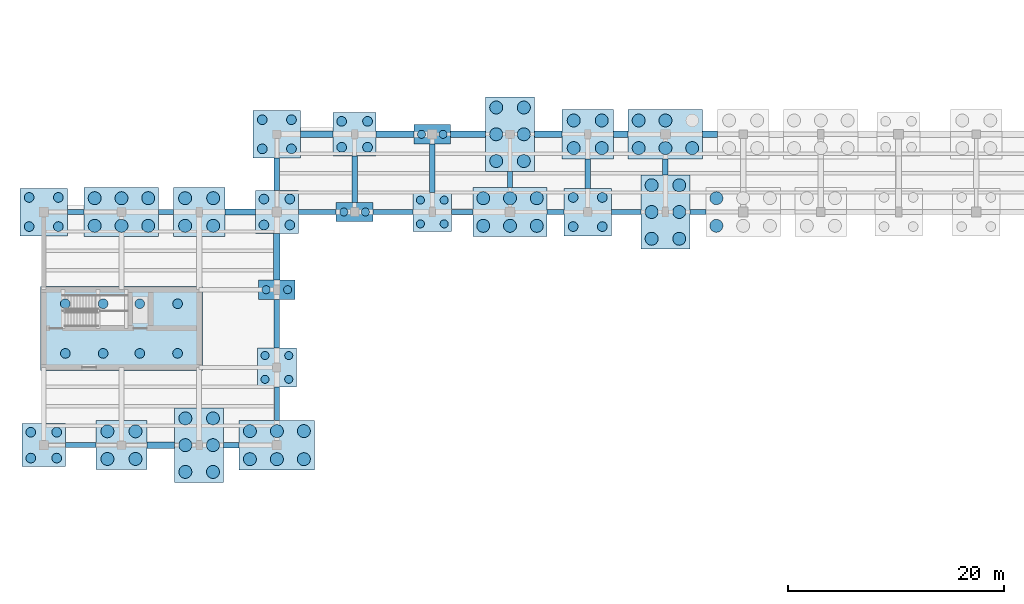
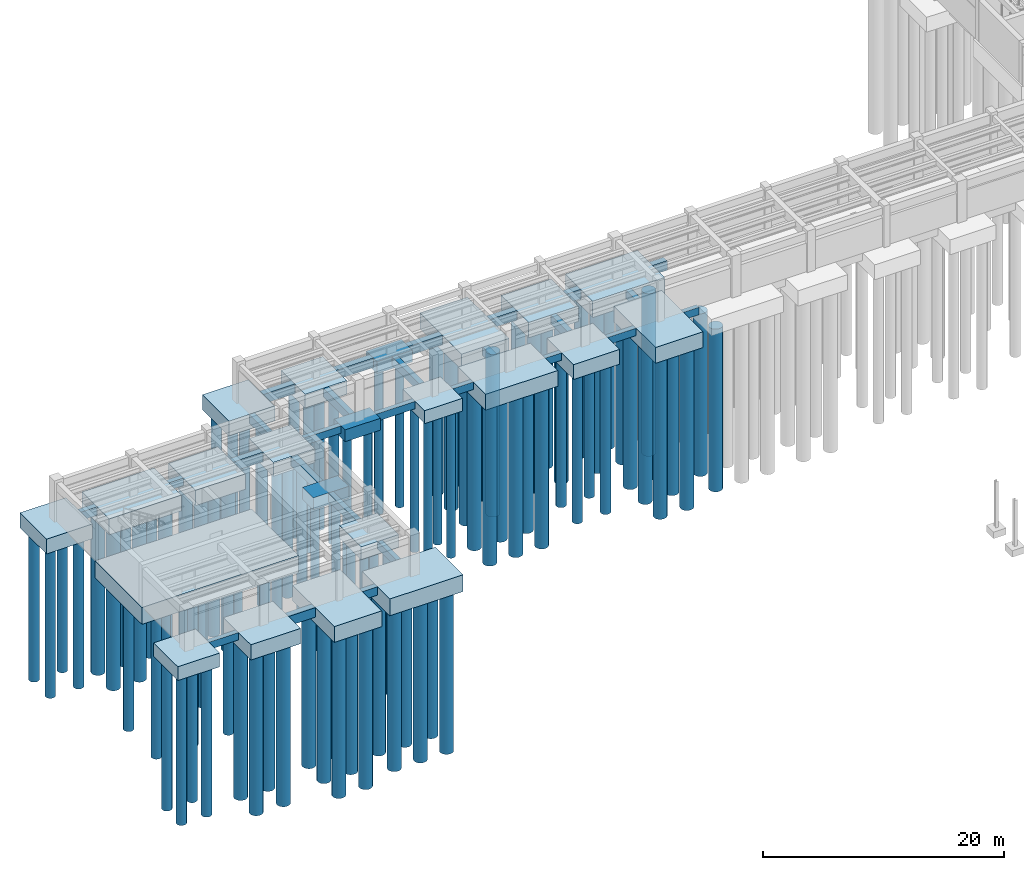
# One storey, part 1 of 22: 101 piles, 49 footings.
"""IFC4 building model written with IfcOpenShell, lengths in metres."""

from ifc_helpers import new_model, si_unit, direction, frame, origin, origin_2d, place, context, subcontext, project, spatial, rectangle, circle, extrude, material, material_profile, profile_set, type_object, element, save


model = new_model("IFC4")

# Units and contexts
model_context = context("Model", 3, precision=1e-05, world=origin(), true_north=direction((0.0, 1.0)))
body_context = subcontext(model_context, "Body", "Model", "MODEL_VIEW")
ifc_project = project(units=[si_unit("LENGTHUNIT", "METRE"), si_unit("AREAUNIT", "SQUARE_METRE"), si_unit("VOLUMEUNIT", "CUBIC_METRE"), si_unit("PLANEANGLEUNIT", "RADIAN"), si_unit("MASSUNIT", "GRAM", prefix="KILO")], contexts=[model_context])

# Site, building, storey
site_placement = place(None, origin())
site = spatial("IfcSite", under=ifc_project, at=site_placement, CompositionType="ELEMENT")
building_placement = place(site_placement, origin())
building = spatial("IfcBuilding", under=site, at=building_placement, Name="Mithqara Police Headquarters", CompositionType="ELEMENT")
storey_placement = place(building_placement, frame((0.0, 0.0, -8.39990234375)))
storey = spatial("IfcBuildingStorey", under=building, at=storey_placement, Name="B2", CompositionType="ELEMENT", Elevation=-8.39990234375)

# Footings
ifc_material = material(Name="Concrete C40/50", Category="concrete")
footing_type_1 = type_object("IfcFootingType", Name="CORE MAT 15000X7800X1700", PredefinedType="PILE_CAP", material=ifc_material)
footing_1_placement = place(storey_placement, frame((15.0, 67.800048828125, -1.7001953125), z_axis=(0.0, 0.0, 1.0), x_axis=(1.0, 0.0, 0.0)))
element("IfcFooting", 1, at=footing_1_placement, inside=storey, type_object=footing_type_1, Name="Core C3 Operations West Piled Core Raft", PredefinedType="PILE_CAP", context=body_context, shape_type="SweptSolid", body=[
    extrude(rectangle(XDim=15.0, YDim=7.800048828125, at=origin_2d()), origin(), (0.0, 0.0, 1.0), 1.699951171875),
])
footing_type_2 = type_object("IfcFootingType", Name="GROUND BEAM 450X750", PredefinedType="FOOTING_BEAM", material=ifc_material)
footing_2_placement = place(storey_placement, frame((11.21240234375, 57.0, -0.75), z_axis=(0.0, 0.0, 1.0), x_axis=(1.0, 0.0, 0.0)))
element("IfcFooting", 2, at=footing_2_placement, inside=storey, type_object=footing_type_2, Name="B2 Ground Tie Beam 2-3/J", PredefinedType="FOOTING_BEAM", context=body_context, shape_type="SweptSolid", body=[
    extrude(rectangle(XDim=2.824951171875, YDim=0.449951171875, at=origin_2d()), origin(), (0.0, 0.0, 1.0), 0.75),
])
footing_3_placement = place(storey_placement, frame((19.137451171875, 78.60009765625, -0.75), z_axis=(0.0, 0.0, 1.0), x_axis=(1.0, 0.0, 0.0)))
element("IfcFooting", 3, at=footing_3_placement, inside=storey, type_object=footing_type_2, Name="B2 Ground Tie Beam 3-4/M", PredefinedType="FOOTING_BEAM", context=body_context, shape_type="SweptSolid", body=[
    extrude(rectangle(XDim=1.375, YDim=0.449951171875, at=origin_2d()), origin(), (0.0, 0.0, 1.0), 0.75),
])
footing_4_placement = place(storey_placement, frame((29.39990234375, 60.85009765625, -0.75), z_axis=(0.0, 0.0, 1.0), x_axis=(1.0, 0.0, 0.0)))
element("IfcFooting", 4, at=footing_4_placement, inside=storey, type_object=footing_type_2, Name="B2 Ground Tie Beam 5/J-K", PredefinedType="FOOTING_BEAM", context=body_context, shape_type="SweptSolid", body=[
    extrude(rectangle(XDim=0.449951171875, YDim=3.10009765625, at=origin_2d()), origin(), (0.0, 0.0, 1.0), 0.75),
])
footing_5_placement = place(storey_placement, frame((33.14990234375, 78.60009765625, -0.75), z_axis=(0.0, 0.0, 1.0), x_axis=(1.0, 0.0, 0.0)))
element("IfcFooting", 5, at=footing_5_placement, inside=storey, type_object=footing_type_2, Name="B2 Ground Tie Beam 5-6/M", PredefinedType="FOOTING_BEAM", context=body_context, shape_type="SweptSolid", body=[
    extrude(rectangle(XDim=3.5, YDim=0.449951171875, at=origin_2d()), origin(), (0.0, 0.0, 1.0), 0.75),
])
footing_6_placement = place(storey_placement, frame((40.14990234375, 78.60009765625, -0.75), z_axis=(0.0, 0.0, 1.0), x_axis=(1.0, 0.0, 0.0)))
element("IfcFooting", 6, at=footing_6_placement, inside=storey, type_object=footing_type_2, Name="B2 Ground Tie Beam 6-7/M", PredefinedType="FOOTING_BEAM", context=body_context, shape_type="SweptSolid", body=[
    extrude(rectangle(XDim=3.699951171875, YDim=0.449951171875, at=origin_2d()), origin(), (0.0, 0.0, 1.0), 0.75),
])
footing_7_placement = place(storey_placement, frame((46.574951171875, 78.60009765625, -0.75), z_axis=(0.0, 0.0, 1.0), x_axis=(1.0, 0.0, 0.0)))
element("IfcFooting", 7, at=footing_7_placement, inside=storey, type_object=footing_type_2, Name="B2 Ground Tie Beam 7-8/M", PredefinedType="FOOTING_BEAM", context=body_context, shape_type="SweptSolid", body=[
    extrude(rectangle(XDim=1.949951171875, YDim=0.449951171875, at=origin_2d()), origin(), (0.0, 0.0, 1.0), 0.75),
])
footing_8_placement = place(storey_placement, frame((55.22509765625, 78.60009765625, -0.75), z_axis=(0.0, 0.0, 1.0), x_axis=(1.0, 0.0, 0.0)))
element("IfcFooting", 8, at=footing_8_placement, inside=storey, type_object=footing_type_2, Name="B2 Ground Tie Beam 8-9/M", PredefinedType="FOOTING_BEAM", context=body_context, shape_type="SweptSolid", body=[
    extrude(rectangle(XDim=1.550048828125, YDim=0.449951171875, at=origin_2d()), origin(), (0.0, 0.0, 1.0), 0.75),
])
footing_9_placement = place(storey_placement, frame((61.762451171875, 78.60009765625, -0.75), z_axis=(0.0, 0.0, 1.0), x_axis=(1.0, 0.0, 0.0)))
element("IfcFooting", 9, at=footing_9_placement, inside=storey, type_object=footing_type_2, Name="B2 Ground Tie Beam 9-10/M", PredefinedType="FOOTING_BEAM", context=body_context, shape_type="SweptSolid", body=[
    extrude(rectangle(XDim=2.72509765625, YDim=0.449951171875, at=origin_2d()), origin(), (0.0, 0.0, 1.0), 0.75),
])
footing_10_placement = place(storey_placement, frame((68.41259765625, 78.60009765625, -0.75), z_axis=(0.0, 0.0, 1.0), x_axis=(1.0, 0.0, 0.0)))
element("IfcFooting", 10, at=footing_10_placement, inside=storey, type_object=footing_type_2, Name="B2 Ground Tie Beam 10-11/M", PredefinedType="FOOTING_BEAM", context=body_context, shape_type="SweptSolid", body=[
    extrude(rectangle(XDim=1.47509765625, YDim=0.449951171875, at=origin_2d()), origin(), (0.0, 0.0, 1.0), 0.75),
])
footing_type_3 = type_object("IfcFootingType", Name="GROUND BEAM 500X850", PredefinedType="FOOTING_BEAM", material=ifc_material)
footing_11_placement = place(storey_placement, frame((10.77490234375, 78.60009765625, -0.85009765625), z_axis=(0.0, 0.0, 1.0), x_axis=(1.0, 0.0, 0.0)))
element("IfcFooting", 11, at=footing_11_placement, inside=storey, type_object=footing_type_3, Name="B2 Ground Tie Beam 2-3/M", PredefinedType="FOOTING_BEAM", context=body_context, shape_type="SweptSolid", body=[
    extrude(rectangle(XDim=1.550048828125, YDim=0.5, at=origin_2d()), origin(), (0.0, 0.0, 1.0), 0.85009765625),
])
footing_12_placement = place(storey_placement, frame((25.1875, 57.0, -0.85009765625), z_axis=(0.0, 0.0, 1.0), x_axis=(1.0, 0.0, 0.0)))
element("IfcFooting", 12, at=footing_12_placement, inside=storey, type_object=footing_type_3, Name="B2 Ground Tie Beam 4-5/J", PredefinedType="FOOTING_BEAM", context=body_context, shape_type="SweptSolid", body=[
    extrude(rectangle(XDim=1.425048828125, YDim=0.5, at=origin_2d()), origin(), (0.0, 0.0, 1.0), 0.85009765625),
])
footing_13_placement = place(storey_placement, frame((29.39990234375, 68.25, -0.85009765625), z_axis=(0.0, 0.0, 1.0), x_axis=(1.0, 0.0, 0.0)))
element("IfcFooting", 13, at=footing_13_placement, inside=storey, type_object=footing_type_3, Name="B2 Ground Tie Beam 5/K-L", PredefinedType="FOOTING_BEAM", context=body_context, shape_type="SweptSolid", body=[
    extrude(rectangle(XDim=0.5, YDim=4.5, at=origin_2d()), origin(), (0.0, 0.0, 1.0), 0.85009765625),
])
footing_14_placement = place(storey_placement, frame((29.39990234375, 82.10009765625, -0.85009765625), z_axis=(0.0, 0.0, 1.0), x_axis=(1.0, 0.0, 0.0)))
element("IfcFooting", 14, at=footing_14_placement, inside=storey, type_object=footing_type_3, Name="B2 Ground Tie Beam 5/M-N", PredefinedType="FOOTING_BEAM", context=body_context, shape_type="SweptSolid", body=[
    extrude(rectangle(XDim=0.5, YDim=3.0, at=origin_2d()), origin(), (0.0, 0.0, 1.0), 0.85009765625),
])
footing_15_placement = place(storey_placement, frame((36.60009765625, 81.64990234375, -0.85009765625), z_axis=(0.0, 0.0, 1.0), x_axis=(1.0, 0.0, 0.0)))
element("IfcFooting", 15, at=footing_15_placement, inside=storey, type_object=footing_type_3, Name="B2 Ground Tie Beam 6/M-N", PredefinedType="FOOTING_BEAM", context=body_context, shape_type="SweptSolid", body=[
    extrude(rectangle(XDim=0.5, YDim=4.300048828125, at=origin_2d()), origin(), (0.0, 0.0, 1.0), 0.85009765625),
])
footing_16_placement = place(storey_placement, frame((43.800048828125, 82.64990234375, -0.85009765625), z_axis=(0.0, 0.0, 1.0), x_axis=(1.0, 0.0, 0.0)))
element("IfcFooting", 16, at=footing_16_placement, inside=storey, type_object=footing_type_3, Name="B2 Ground Tie Beam 7/M-N", PredefinedType="FOOTING_BEAM", context=body_context, shape_type="SweptSolid", body=[
    extrude(rectangle(XDim=0.5, YDim=4.5, at=origin_2d()), origin(), (0.0, 0.0, 1.0), 0.85009765625),
])
footing_17_placement = place(storey_placement, frame((51.0, 81.612548828125, -0.85009765625), z_axis=(0.0, 0.0, 1.0), x_axis=(1.0, 0.0, 0.0)))
element("IfcFooting", 17, at=footing_17_placement, inside=storey, type_object=footing_type_3, Name="B2 Ground Tie Beam 8/M-N", PredefinedType="FOOTING_BEAM", context=body_context, shape_type="SweptSolid", body=[
    extrude(rectangle(XDim=0.5, YDim=1.47509765625, at=origin_2d()), origin(), (0.0, 0.0, 1.0), 0.85009765625),
])
footing_18_placement = place(storey_placement, frame((58.199951171875, 82.16259765625, -0.85009765625), z_axis=(0.0, 0.0, 1.0), x_axis=(1.0, 0.0, 0.0)))
element("IfcFooting", 18, at=footing_18_placement, inside=storey, type_object=footing_type_3, Name="B2 Ground Tie Beam 9/M-N", PredefinedType="FOOTING_BEAM", context=body_context, shape_type="SweptSolid", body=[
    extrude(rectangle(XDim=0.5, YDim=2.72509765625, at=origin_2d()), origin(), (0.0, 0.0, 1.0), 0.85009765625),
])
footing_19_placement = place(storey_placement, frame((65.39990234375, 82.78759765625, -0.85009765625), z_axis=(0.0, 0.0, 1.0), x_axis=(1.0, 0.0, 0.0)))
element("IfcFooting", 19, at=footing_19_placement, inside=storey, type_object=footing_type_3, Name="B2 Ground Tie Beam 10/M-N", PredefinedType="FOOTING_BEAM", context=body_context, shape_type="SweptSolid", body=[
    extrude(rectangle(XDim=0.5, YDim=1.47509765625, at=origin_2d()), origin(), (0.0, 0.0, 1.0), 0.85009765625),
])
footing_type_4 = type_object("IfcFootingType", Name="GROUND BEAM 600X950", PredefinedType="FOOTING_BEAM", material=ifc_material)
footing_20_placement = place(storey_placement, frame((18.64990234375, 57.0, -0.9501953125), z_axis=(0.0, 0.0, 1.0), x_axis=(1.0, 0.0, 0.0)))
element("IfcFooting", 20, at=footing_20_placement, inside=storey, type_object=footing_type_4, Name="B2 Ground Tie Beam 3-4/J", PredefinedType="FOOTING_BEAM", context=body_context, shape_type="SweptSolid", body=[
    extrude(rectangle(XDim=2.550048828125, YDim=0.60009765625, at=origin_2d()), origin(), (0.0, 0.0, 1.0), 0.949951171875),
])
footing_21_placement = place(storey_placement, frame((25.987548828125, 78.60009765625, -0.9501953125), z_axis=(0.0, 0.0, 1.0), x_axis=(1.0, 0.0, 0.0)))
element("IfcFooting", 21, at=footing_21_placement, inside=storey, type_object=footing_type_4, Name="B2 Ground Tie Beam 4-5/M", PredefinedType="FOOTING_BEAM", context=body_context, shape_type="SweptSolid", body=[
    extrude(rectangle(XDim=2.824951171875, YDim=0.60009765625, at=origin_2d()), origin(), (0.0, 0.0, 1.0), 0.949951171875),
])
footing_22_placement = place(storey_placement, frame((29.39990234375, 74.449951171875, -0.9501953125), z_axis=(0.0, 0.0, 1.0), x_axis=(1.0, 0.0, 0.0)))
element("IfcFooting", 22, at=footing_22_placement, inside=storey, type_object=footing_type_4, Name="B2 Ground Tie Beam 5/L-M", PredefinedType="FOOTING_BEAM", context=body_context, shape_type="SweptSolid", body=[
    extrude(rectangle(XDim=0.60009765625, YDim=4.300048828125, at=origin_2d()), origin(), (0.0, 0.0, 1.0), 0.949951171875),
])
footing_23_placement = place(storey_placement, frame((33.10009765625, 85.800048828125, -0.9501953125), z_axis=(0.0, 0.0, 1.0), x_axis=(1.0, 0.0, 0.0)))
element("IfcFooting", 23, at=footing_23_placement, inside=storey, type_object=footing_type_4, Name="B2 Ground Tie Beam 5-6/N", PredefinedType="FOOTING_BEAM", context=body_context, shape_type="SweptSolid", body=[
    extrude(rectangle(XDim=3.0, YDim=0.60009765625, at=origin_2d()), origin(), (0.0, 0.0, 1.0), 0.949951171875),
])
footing_24_placement = place(storey_placement, frame((40.35009765625, 85.800048828125, -0.9501953125), z_axis=(0.0, 0.0, 1.0), x_axis=(1.0, 0.0, 0.0)))
element("IfcFooting", 24, at=footing_24_placement, inside=storey, type_object=footing_type_4, Name="B2 Ground Tie Beam 6-7/N", PredefinedType="FOOTING_BEAM", context=body_context, shape_type="SweptSolid", body=[
    extrude(rectangle(XDim=3.5, YDim=0.60009765625, at=origin_2d()), origin(), (0.0, 0.0, 1.0), 0.949951171875),
])
footing_25_placement = place(storey_placement, frame((47.112548828125, 85.800048828125, -0.9501953125), z_axis=(0.0, 0.0, 1.0), x_axis=(1.0, 0.0, 0.0)))
element("IfcFooting", 25, at=footing_25_placement, inside=storey, type_object=footing_type_4, Name="B2 Ground Tie Beam 7-8/N", PredefinedType="FOOTING_BEAM", context=body_context, shape_type="SweptSolid", body=[
    extrude(rectangle(XDim=3.22509765625, YDim=0.60009765625, at=origin_2d()), origin(), (0.0, 0.0, 1.0), 0.949951171875),
])
footing_26_placement = place(storey_placement, frame((54.550048828125, 85.800048828125, -0.9501953125), z_axis=(0.0, 0.0, 1.0), x_axis=(1.0, 0.0, 0.0)))
element("IfcFooting", 26, at=footing_26_placement, inside=storey, type_object=footing_type_4, Name="B2 Ground Tie Beam 8-9/N", PredefinedType="FOOTING_BEAM", context=body_context, shape_type="SweptSolid", body=[
    extrude(rectangle(XDim=2.550048828125, YDim=0.60009765625, at=origin_2d()), origin(), (0.0, 0.0, 1.0), 0.949951171875),
])
for number, where, z_axis, x_axis, name in (
    (27, (61.262451171875, 85.800048828125, -0.9501953125), (0.0, 0.0, 1.0), (1.0, 0.0, 0.0), "B2 Ground Tie Beam 9-10/N"),
    (28, (69.53759765625, 85.800048828125, -0.9501953125), (0.0, 0.0, 1.0), (1.0, 0.0, 0.0), "B2 Ground Tie Beam 10-11/N"),
):
    element("IfcFooting", number, at=place(storey_placement, frame(where, z_axis=z_axis, x_axis=x_axis)), inside=storey, type_object=footing_type_4, Name=name, PredefinedType="FOOTING_BEAM", context=body_context, shape_type="SweptSolid", body=[
        extrude(rectangle(XDim=1.375, YDim=0.60009765625, at=origin_2d()), origin(), (0.0, 0.0, 1.0), 0.949951171875),
    ])
footing_type_5 = type_object("IfcFootingType", Name="PILE CAP 2P 3400X1800X1200", PredefinedType="PILE_CAP", material=ifc_material)
for number, where, z_axis, x_axis, name in (
    (29, (29.39990234375, 71.39990234375, -1.2001953125), (0.0, 0.0, 1.0), (1.0, 0.0, 0.0), "B2 Pile Cap 5/L"),
    (30, (36.60009765625, 78.60009765625, -1.2001953125), (0.0, 0.0, 1.0), (1.0, 0.0, 0.0), "B2 Pile Cap 6/M"),
    (31, (43.800048828125, 85.800048828125, -1.2001953125), (0.0, 0.0, 1.0), (1.0, 0.0, 0.0), "B2 Pile Cap 7/N"),
):
    element("IfcFooting", number, at=place(storey_placement, frame(where, z_axis=z_axis, x_axis=x_axis)), inside=storey, type_object=footing_type_5, Name=name, PredefinedType="PILE_CAP", context=body_context, shape_type="SweptSolid", body=[
        extrude(rectangle(XDim=3.39990234375, YDim=1.800048828125, at=origin_2d()), origin(), (0.0, 0.0, 1.0), 1.199951171875),
    ])
footing_type_6 = type_object("IfcFootingType", Name="PILE CAP 4P 3600X3600X1300", PredefinedType="PILE_CAP", material=ifc_material)
for number, where, z_axis, x_axis, name in (
    (32, (29.39990234375, 64.199951171875, -1.30029296875), (0.0, 0.0, 1.0), (1.0, 0.0, 0.0), "B2 Pile Cap 5/K"),
    (33, (43.800048828125, 78.60009765625, -1.30029296875), (0.0, 0.0, 1.0), (1.0, 0.0, 0.0), "B2 Pile Cap 7/M"),
):
    element("IfcFooting", number, at=place(storey_placement, frame(where, z_axis=z_axis, x_axis=x_axis)), inside=storey, type_object=footing_type_6, Name=name, PredefinedType="PILE_CAP", context=body_context, shape_type="SweptSolid", body=[
        extrude(rectangle(XDim=3.60009765625, YDim=3.60009765625, at=origin_2d()), origin(), (0.0, 0.0, 1.0), 1.300048828125),
    ])
footing_type_7 = type_object("IfcFootingType", Name="PILE CAP 4P 4000X4000X1400", PredefinedType="PILE_CAP", material=ifc_material)
for number, where, z_axis, x_axis, name in (
    (34, (7.800048828125, 57.0, -1.400146484375), (0.0, 0.0, 1.0), (1.0, 0.0, 0.0), "B2 Pile Cap 2/J"),
    (35, (29.39990234375, 78.60009765625, -1.400146484375), (0.0, 0.0, 1.0), (1.0, 0.0, 0.0), "B2 Pile Cap 5/M"),
    (36, (36.60009765625, 85.800048828125, -1.400146484375), (0.0, 0.0, 1.0), (1.0, 0.0, 0.0), "B2 Pile Cap 6/N"),
):
    element("IfcFooting", number, at=place(storey_placement, frame(where, z_axis=z_axis, x_axis=x_axis)), inside=storey, type_object=footing_type_7, Name=name, PredefinedType="PILE_CAP", context=body_context, shape_type="SweptSolid", body=[
        extrude(rectangle(XDim=4.0, YDim=4.0, at=origin_2d()), origin(), (0.0, 0.0, 1.0), 1.39990234375),
    ])
footing_type_8 = type_object("IfcFootingType", Name="PILE CAP 4P 4400X4400X1500", PredefinedType="PILE_CAP", material=ifc_material)
for number, where, z_axis, x_axis, name in (
    (37, (7.800048828125, 78.60009765625, -1.5), (0.0, 0.0, 1.0), (1.0, 0.0, 0.0), "B2 Pile Cap 2/M"),
    (38, (29.39990234375, 85.800048828125, -1.5), (0.0, 0.0, 1.0), (1.0, 0.0, 0.0), "B2 Pile Cap 5/N"),
    (39, (58.199951171875, 78.60009765625, -1.5), (0.0, 0.0, 1.0), (1.0, 0.0, 0.0), "B2 Pile Cap 9/M"),
):
    element("IfcFooting", number, at=place(storey_placement, frame(where, z_axis=z_axis, x_axis=x_axis)), inside=storey, type_object=footing_type_8, Name=name, PredefinedType="PILE_CAP", context=body_context, shape_type="SweptSolid", body=[
        extrude(rectangle(XDim=4.39990234375, YDim=4.39990234375, at=origin_2d()), origin(), (0.0, 0.0, 1.0), 1.5),
    ])
footing_type_9 = type_object("IfcFootingType", Name="PILE CAP 4P 4600X4000X1550", PredefinedType="PILE_CAP", material=ifc_material)
for number, where, z_axis, x_axis, name in (
    (40, (15.0, 57.0, -1.55029296875), (0.0, 0.0, 1.0), (1.0, 0.0, 0.0), "B2 Pile Cap 3/J"),
    (41, (22.199951171875, 78.60009765625, -1.55029296875), (0.0, 0.0, 1.0), (1.0, 0.0, 0.0), "B2 Pile Cap 4/M"),
    (42, (58.199951171875, 85.800048828125, -1.55029296875), (0.0, 0.0, 1.0), (1.0, 0.0, 0.0), "B2 Pile Cap 9/N"),
):
    element("IfcFooting", number, at=place(storey_placement, frame(where, z_axis=z_axis, x_axis=x_axis)), inside=storey, type_object=footing_type_9, Name=name, PredefinedType="PILE_CAP", context=body_context, shape_type="SweptSolid", body=[
        extrude(rectangle(XDim=4.75, YDim=4.550048828125, at=origin_2d()), origin(), (0.0, 0.0, 1.0), 1.550048828125),
    ])
footing_type_10 = type_object("IfcFootingType", Name="PILE CAP 6P 3800X6000X1600", PredefinedType="PILE_CAP", material=ifc_material)
for number, where, z_axis, x_axis, name in (
    (43, (22.199951171875, 57.0, -1.60009765625), (0.0, 0.0, 1.0), (1.0, 0.0, 0.0), "B2 Pile Cap 4/J"),
    (44, (51.0, 85.800048828125, -1.60009765625), (0.0, 0.0, 1.0), (1.0, 0.0, 0.0), "B2 Pile Cap 8/N"),
    (45, (65.39990234375, 78.60009765625, -1.60009765625), (0.0, 0.0, 1.0), (1.0, 0.0, 0.0), "B2 Pile Cap 10/M"),
):
    element("IfcFooting", number, at=place(storey_placement, frame(where, z_axis=z_axis, x_axis=x_axis)), inside=storey, type_object=footing_type_10, Name=name, PredefinedType="PILE_CAP", context=body_context, shape_type="SweptSolid", body=[
        extrude(rectangle(XDim=4.550048828125, YDim=6.89990234375, at=origin_2d()), origin(), (0.0, 0.0, 1.0), 1.60009765625),
    ])
footing_type_11 = type_object("IfcFootingType", Name="PILE CAP 6P 6000X3800X1600", PredefinedType="PILE_CAP", material=ifc_material)
for number, where, z_axis, x_axis, name in (
    (46, (15.0, 78.60009765625, -1.60009765625), (0.0, 0.0, 1.0), (1.0, 0.0, 0.0), "B2 Pile Cap 3/M"),
    (47, (51.0, 78.60009765625, -1.60009765625), (0.0, 0.0, 1.0), (1.0, 0.0, 0.0), "B2 Pile Cap 8/M"),
):
    element("IfcFooting", number, at=place(storey_placement, frame(where, z_axis=z_axis, x_axis=x_axis)), inside=storey, type_object=footing_type_11, Name=name, PredefinedType="PILE_CAP", context=body_context, shape_type="SweptSolid", body=[
        extrude(rectangle(XDim=6.89990234375, YDim=4.550048828125, at=origin_2d()), origin(), (0.0, 0.0, 1.0), 1.60009765625),
    ])
footing_type_12 = type_object("IfcFootingType", Name="PILE CAP 6P 6200X4000X1650", PredefinedType="PILE_CAP", material=ifc_material)
footing_27_placement = place(storey_placement, frame((65.39990234375, 85.800048828125, -1.650146484375), z_axis=(0.0, 0.0, 1.0), x_axis=(1.0, 0.0, 0.0)))
element("IfcFooting", 48, at=footing_27_placement, inside=storey, type_object=footing_type_12, Name="B2 Pile Cap 10/N", PredefinedType="PILE_CAP", context=body_context, shape_type="SweptSolid", body=[
    extrude(rectangle(XDim=6.89990234375, YDim=4.550048828125, at=origin_2d()), origin(), (0.0, 0.0, 1.0), 1.64990234375),
])
footing_type_13 = type_object("IfcFootingType", Name="PILE CAP 6P 6400X4200X1700", PredefinedType="PILE_CAP", material=ifc_material)
footing_28_placement = place(storey_placement, frame((29.39990234375, 57.0, -1.7001953125), z_axis=(0.0, 0.0, 1.0), x_axis=(1.0, 0.0, 0.0)))
element("IfcFooting", 49, at=footing_28_placement, inside=storey, type_object=footing_type_13, Name="B2 Pile Cap 5/J", PredefinedType="PILE_CAP", context=body_context, shape_type="SweptSolid", body=[
    extrude(rectangle(XDim=7.0, YDim=4.60009765625, at=origin_2d()), origin(), (0.0, 0.0, 1.0), 1.699951171875),
])

# Piles
ifc_material_profile_1 = material_profile(ifc_material, circle(Radius=0.60009765625, at=origin_2d()), Name="PILE D1200")
ifc_profile_set_1 = profile_set([ifc_material_profile_1], Name="Concrete C40/50")
pile_type_1 = type_object("IfcPileType", Name="PILE D1200 16M", PredefinedType="BORED", material=ifc_profile_set_1)
for number, where, z_axis, x_axis, name in (
    (50, (13.699951171875, 55.719970703125, -1.400146484375), (0.0, 0.0, -1.0), (1.0, 0.0, 0.0), "Bored Pile 3/J-1"),
    (51, (16.300048828125, 55.719970703125, -1.400146484375), (0.0, 0.0, -1.0), (1.0, 0.0, 0.0), "Bored Pile 3/J-2"),
    (52, (13.699951171875, 58.280029296875, -1.400146484375), (0.0, 0.0, -1.0), (1.0, 0.0, 0.0), "Bored Pile 3/J-3"),
    (53, (16.300048828125, 58.280029296875, -1.400146484375), (0.0, 0.0, -1.0), (1.0, 0.0, 0.0), "Bored Pile 3/J-4"),
    (54, (12.52001953125, 77.320068359375, -1.4501953125), (0.0, 0.0, -1.0), (1.0, 0.0, 0.0), "Bored Pile 3/M-1"),
    (55, (15.0, 77.320068359375, -1.4501953125), (0.0, 0.0, -1.0), (1.0, 0.0, 0.0), "Bored Pile 3/M-2"),
    (56, (17.47998046875, 77.320068359375, -1.4501953125), (0.0, 0.0, -1.0), (1.0, 0.0, 0.0), "Bored Pile 3/M-3"),
    (57, (12.52001953125, 79.8798828125, -1.4501953125), (0.0, 0.0, -1.0), (1.0, 0.0, 0.0), "Bored Pile 3/M-4"),
    (58, (15.0, 79.8798828125, -1.4501953125), (0.0, 0.0, -1.0), (1.0, 0.0, 0.0), "Bored Pile 3/M-5"),
    (59, (17.47998046875, 79.8798828125, -1.4501953125), (0.0, 0.0, -1.0), (1.0, 0.0, 0.0), "Bored Pile 3/M-6"),
    (60, (20.919921875, 54.52001953125, -1.4501953125), (0.0, 0.0, -1.0), (1.0, 0.0, 0.0), "Bored Pile 4/J-1"),
    (61, (23.47998046875, 54.52001953125, -1.4501953125), (0.0, 0.0, -1.0), (1.0, 0.0, 0.0), "Bored Pile 4/J-2"),
    (62, (20.919921875, 57.0, -1.4501953125), (0.0, 0.0, -1.0), (1.0, 0.0, 0.0), "Bored Pile 4/J-3"),
    (63, (23.47998046875, 57.0, -1.4501953125), (0.0, 0.0, -1.0), (1.0, 0.0, 0.0), "Bored Pile 4/J-4"),
    (64, (20.919921875, 59.47998046875, -1.4501953125), (0.0, 0.0, -1.0), (1.0, 0.0, 0.0), "Bored Pile 4/J-5"),
    (65, (23.47998046875, 59.47998046875, -1.4501953125), (0.0, 0.0, -1.0), (1.0, 0.0, 0.0), "Bored Pile 4/J-6"),
    (66, (20.89990234375, 77.320068359375, -1.400146484375), (0.0, 0.0, -1.0), (1.0, 0.0, 0.0), "Bored Pile 4/M-1"),
    (67, (23.5, 77.320068359375, -1.400146484375), (0.0, 0.0, -1.0), (1.0, 0.0, 0.0), "Bored Pile 4/M-2"),
    (68, (20.89990234375, 79.8798828125, -1.400146484375), (0.0, 0.0, -1.0), (1.0, 0.0, 0.0), "Bored Pile 4/M-3"),
    (69, (23.5, 79.8798828125, -1.400146484375), (0.0, 0.0, -1.0), (1.0, 0.0, 0.0), "Bored Pile 4/M-4"),
    (70, (26.89990234375, 55.699951171875, -1.550048828125), (0.0, 0.0, -1.0), (1.0, 0.0, 0.0), "Bored Pile 5/J-1"),
    (71, (29.39990234375, 55.699951171875, -1.550048828125), (0.0, 0.0, -1.0), (1.0, 0.0, 0.0), "Bored Pile 5/J-2"),
    (72, (31.89990234375, 55.699951171875, -1.550048828125), (0.0, 0.0, -1.0), (1.0, 0.0, 0.0), "Bored Pile 5/J-3"),
    (73, (26.89990234375, 58.300048828125, -1.550048828125), (0.0, 0.0, -1.0), (1.0, 0.0, 0.0), "Bored Pile 5/J-4"),
    (74, (29.39990234375, 58.300048828125, -1.550048828125), (0.0, 0.0, -1.0), (1.0, 0.0, 0.0), "Bored Pile 5/J-5"),
    (75, (31.89990234375, 58.300048828125, -1.550048828125), (0.0, 0.0, -1.0), (1.0, 0.0, 0.0), "Bored Pile 5/J-6"),
    (76, (48.52001953125, 77.320068359375, -1.4501953125), (0.0, 0.0, -1.0), (1.0, 0.0, 0.0), "Bored Pile 8/M-1"),
    (77, (51.0, 77.320068359375, -1.4501953125), (0.0, 0.0, -1.0), (1.0, 0.0, 0.0), "Bored Pile 8/M-2"),
    (78, (53.47998046875, 77.320068359375, -1.4501953125), (0.0, 0.0, -1.0), (1.0, 0.0, 0.0), "Bored Pile 8/M-3"),
    (79, (48.52001953125, 79.8798828125, -1.4501953125), (0.0, 0.0, -1.0), (1.0, 0.0, 0.0), "Bored Pile 8/M-4"),
    (80, (51.0, 79.8798828125, -1.4501953125), (0.0, 0.0, -1.0), (1.0, 0.0, 0.0), "Bored Pile 8/M-5"),
    (81, (53.47998046875, 79.8798828125, -1.4501953125), (0.0, 0.0, -1.0), (1.0, 0.0, 0.0), "Bored Pile 8/M-6"),
    (82, (49.719970703125, 83.320068359375, -1.4501953125), (0.0, 0.0, -1.0), (1.0, 0.0, 0.0), "Bored Pile 8/N-1"),
    (83, (52.280029296875, 83.320068359375, -1.4501953125), (0.0, 0.0, -1.0), (1.0, 0.0, 0.0), "Bored Pile 8/N-2"),
    (84, (49.719970703125, 85.800048828125, -1.4501953125), (0.0, 0.0, -1.0), (1.0, 0.0, 0.0), "Bored Pile 8/N-3"),
    (85, (52.280029296875, 85.800048828125, -1.4501953125), (0.0, 0.0, -1.0), (1.0, 0.0, 0.0), "Bored Pile 8/N-4"),
    (86, (49.719970703125, 88.280029296875, -1.4501953125), (0.0, 0.0, -1.0), (1.0, 0.0, 0.0), "Bored Pile 8/N-5"),
    (87, (52.280029296875, 88.280029296875, -1.4501953125), (0.0, 0.0, -1.0), (1.0, 0.0, 0.0), "Bored Pile 8/N-6"),
    (88, (56.89990234375, 84.52001953125, -1.400146484375), (0.0, 0.0, -1.0), (1.0, 0.0, 0.0), "Bored Pile 9/N-1"),
    (89, (59.5, 84.52001953125, -1.400146484375), (0.0, 0.0, -1.0), (1.0, 0.0, 0.0), "Bored Pile 9/N-2"),
    (90, (56.89990234375, 87.080078125, -1.400146484375), (0.0, 0.0, -1.0), (1.0, 0.0, 0.0), "Bored Pile 9/N-3"),
    (91, (59.5, 87.080078125, -1.400146484375), (0.0, 0.0, -1.0), (1.0, 0.0, 0.0), "Bored Pile 9/N-4"),
    (92, (64.1201171875, 76.1201171875, -1.4501953125), (0.0, 0.0, -1.0), (1.0, 0.0, 0.0), "Bored Pile 10/M-1"),
    (93, (66.679931640625, 76.1201171875, -1.4501953125), (0.0, 0.0, -1.0), (1.0, 0.0, 0.0), "Bored Pile 10/M-2"),
    (94, (64.1201171875, 78.60009765625, -1.4501953125), (0.0, 0.0, -1.0), (1.0, 0.0, 0.0), "Bored Pile 10/M-3"),
    (95, (66.679931640625, 78.60009765625, -1.4501953125), (0.0, 0.0, -1.0), (1.0, 0.0, 0.0), "Bored Pile 10/M-4"),
    (96, (64.1201171875, 81.080078125, -1.4501953125), (0.0, 0.0, -1.0), (1.0, 0.0, 0.0), "Bored Pile 10/M-5"),
    (97, (66.679931640625, 81.080078125, -1.4501953125), (0.0, 0.0, -1.0), (1.0, 0.0, 0.0), "Bored Pile 10/M-6"),
    (98, (62.919921875, 84.52001953125, -1.5), (0.0, 0.0, -1.0), (1.0, 0.0, 0.0), "Bored Pile 10/N-1"),
    (99, (65.39990234375, 84.52001953125, -1.5), (0.0, 0.0, -1.0), (1.0, 0.0, 0.0), "Bored Pile 10/N-2"),
    (100, (67.8798828125, 84.52001953125, -1.5), (0.0, 0.0, -1.0), (1.0, 0.0, 0.0), "Bored Pile 10/N-3"),
    (101, (62.919921875, 87.080078125, -1.5), (0.0, 0.0, -1.0), (1.0, 0.0, 0.0), "Bored Pile 10/N-4"),
    (102, (65.39990234375, 87.080078125, -1.5), (0.0, 0.0, -1.0), (1.0, 0.0, 0.0), "Bored Pile 10/N-5"),
    (103, (70.1201171875, 77.320068359375, -1.5), (0.0, 0.0, -1.0), (1.0, 0.0, 0.0), "Bored Pile 11/M-1"),
    (104, (70.1201171875, 79.8798828125, -1.5), (0.0, 0.0, -1.0), (1.0, 0.0, 0.0), "Bored Pile 11/M-4"),
):
    element("IfcPile", number, at=place(storey_placement, frame(where, z_axis=z_axis, x_axis=x_axis)), inside=storey, type_object=pile_type_1, Name=name, PredefinedType="BORED", context=body_context, shape_type="SweptSolid", body=[
        extrude(circle(Radius=0.60009765625, at=origin_2d()), origin(), (0.0, 0.0, 1.0), 16.449951171875),
    ])
ifc_material_profile_2 = material_profile(ifc_material, circle(Radius=0.375, at=origin_2d()), Name="PILE D750")
ifc_profile_set_2 = profile_set([ifc_material_profile_2], Name="Concrete C40/50")
pile_type_2 = type_object("IfcPileType", Name="PILE D750 14M", PredefinedType="BORED", material=ifc_profile_set_2)
for number, where, z_axis, x_axis, name in (
    (105, (28.300048828125, 63.10009765625, -1.150146484375), (0.0, 0.0, -1.0), (1.0, 0.0, 0.0), "Bored Pile 5/K-1"),
    (106, (30.5, 63.10009765625, -1.150146484375), (0.0, 0.0, -1.0), (1.0, 0.0, 0.0), "Bored Pile 5/K-2"),
    (107, (28.300048828125, 65.300048828125, -1.150146484375), (0.0, 0.0, -1.0), (1.0, 0.0, 0.0), "Bored Pile 5/K-3"),
    (108, (30.5, 65.300048828125, -1.150146484375), (0.0, 0.0, -1.0), (1.0, 0.0, 0.0), "Bored Pile 5/K-4"),
    (109, (28.39990234375, 71.39990234375, -1.050048828125), (0.0, 0.0, -1.0), (1.0, 0.0, 0.0), "Bored Pile 5/L-1"),
    (110, (30.39990234375, 71.39990234375, -1.050048828125), (0.0, 0.0, -1.0), (1.0, 0.0, 0.0), "Bored Pile 5/L-2"),
    (111, (35.60009765625, 78.60009765625, -1.050048828125), (0.0, 0.0, -1.0), (1.0, 0.0, 0.0), "Bored Pile 6/M-1"),
    (112, (37.60009765625, 78.60009765625, -1.050048828125), (0.0, 0.0, -1.0), (1.0, 0.0, 0.0), "Bored Pile 6/M-2"),
    (113, (42.699951171875, 77.5, -1.150146484375), (0.0, 0.0, -1.0), (1.0, 0.0, 0.0), "Bored Pile 7/M-1"),
    (114, (44.89990234375, 77.5, -1.150146484375), (0.0, 0.0, -1.0), (1.0, 0.0, 0.0), "Bored Pile 7/M-2"),
    (115, (42.699951171875, 79.699951171875, -1.150146484375), (0.0, 0.0, -1.0), (1.0, 0.0, 0.0), "Bored Pile 7/M-3"),
    (116, (44.89990234375, 79.699951171875, -1.150146484375), (0.0, 0.0, -1.0), (1.0, 0.0, 0.0), "Bored Pile 7/M-4"),
    (117, (42.800048828125, 85.800048828125, -1.050048828125), (0.0, 0.0, -1.0), (1.0, 0.0, 0.0), "Bored Pile 7/N-1"),
    (118, (44.800048828125, 85.800048828125, -1.050048828125), (0.0, 0.0, -1.0), (1.0, 0.0, 0.0), "Bored Pile 7/N-2"),
):
    element("IfcPile", number, at=place(storey_placement, frame(where, z_axis=z_axis, x_axis=x_axis)), inside=storey, type_object=pile_type_2, Name=name, PredefinedType="BORED", context=body_context, shape_type="SweptSolid", body=[
        extrude(circle(Radius=0.375, at=origin_2d()), origin(), (0.0, 0.0, 1.0), 14.949951171875),
    ])
ifc_material_profile_3 = material_profile(ifc_material, circle(Radius=0.449951171875, at=origin_2d()), Name="PILE D900")
ifc_profile_set_3 = profile_set([ifc_material_profile_3], Name="Concrete C40/50")
pile_type_3 = type_object("IfcPileType", Name="PILE D900 15M", PredefinedType="BORED", material=ifc_profile_set_3)
for number, where, z_axis, x_axis, name in (
    (119, (9.800048828125, 65.5, -1.550048828125), (0.0, 0.0, -1.0), (1.0, 0.0, 0.0), "Core C3 Operations West Bored Pile 1"),
    (120, (13.300048828125, 65.5, -1.550048828125), (0.0, 0.0, -1.0), (1.0, 0.0, 0.0), "Core C3 Operations West Bored Pile 2"),
    (121, (16.699951171875, 65.5, -1.550048828125), (0.0, 0.0, -1.0), (1.0, 0.0, 0.0), "Core C3 Operations West Bored Pile 3"),
    (122, (20.199951171875, 65.5, -1.550048828125), (0.0, 0.0, -1.0), (1.0, 0.0, 0.0), "Core C3 Operations West Bored Pile 4"),
    (123, (9.800048828125, 70.10009765625, -1.550048828125), (0.0, 0.0, -1.0), (1.0, 0.0, 0.0), "Core C3 Operations West Bored Pile 5"),
    (124, (13.300048828125, 70.10009765625, -1.550048828125), (0.0, 0.0, -1.0), (1.0, 0.0, 0.0), "Core C3 Operations West Bored Pile 6"),
    (125, (16.699951171875, 70.10009765625, -1.550048828125), (0.0, 0.0, -1.0), (1.0, 0.0, 0.0), "Core C3 Operations West Bored Pile 7"),
    (126, (20.199951171875, 70.10009765625, -1.550048828125), (0.0, 0.0, -1.0), (1.0, 0.0, 0.0), "Core C3 Operations West Bored Pile 8"),
    (127, (6.60009765625, 55.800048828125, -1.25), (0.0, 0.0, -1.0), (1.0, 0.0, 0.0), "Bored Pile 2/J-1"),
    (128, (9.0, 55.800048828125, -1.25), (0.0, 0.0, -1.0), (1.0, 0.0, 0.0), "Bored Pile 2/J-2"),
    (129, (6.60009765625, 58.199951171875, -1.25), (0.0, 0.0, -1.0), (1.0, 0.0, 0.0), "Bored Pile 2/J-3"),
    (130, (9.0, 58.199951171875, -1.25), (0.0, 0.0, -1.0), (1.0, 0.0, 0.0), "Bored Pile 2/J-4"),
    (131, (6.449951171875, 77.25, -1.35009765625), (0.0, 0.0, -1.0), (1.0, 0.0, 0.0), "Bored Pile 2/M-1"),
    (132, (9.14990234375, 77.25, -1.35009765625), (0.0, 0.0, -1.0), (1.0, 0.0, 0.0), "Bored Pile 2/M-2"),
    (133, (6.449951171875, 79.949951171875, -1.35009765625), (0.0, 0.0, -1.0), (1.0, 0.0, 0.0), "Bored Pile 2/M-3"),
    (134, (9.14990234375, 79.949951171875, -1.35009765625), (0.0, 0.0, -1.0), (1.0, 0.0, 0.0), "Bored Pile 2/M-4"),
    (135, (28.199951171875, 77.39990234375, -1.25), (0.0, 0.0, -1.0), (1.0, 0.0, 0.0), "Bored Pile 5/M-1"),
    (136, (30.60009765625, 77.39990234375, -1.25), (0.0, 0.0, -1.0), (1.0, 0.0, 0.0), "Bored Pile 5/M-2"),
    (137, (28.199951171875, 79.800048828125, -1.25), (0.0, 0.0, -1.0), (1.0, 0.0, 0.0), "Bored Pile 5/M-3"),
    (138, (30.60009765625, 79.800048828125, -1.25), (0.0, 0.0, -1.0), (1.0, 0.0, 0.0), "Bored Pile 5/M-4"),
    (139, (28.050048828125, 84.449951171875, -1.35009765625), (0.0, 0.0, -1.0), (1.0, 0.0, 0.0), "Bored Pile 5/N-1"),
    (140, (30.75, 84.449951171875, -1.35009765625), (0.0, 0.0, -1.0), (1.0, 0.0, 0.0), "Bored Pile 5/N-2"),
    (141, (28.050048828125, 87.14990234375, -1.35009765625), (0.0, 0.0, -1.0), (1.0, 0.0, 0.0), "Bored Pile 5/N-3"),
    (142, (30.75, 87.14990234375, -1.35009765625), (0.0, 0.0, -1.0), (1.0, 0.0, 0.0), "Bored Pile 5/N-4"),
    (143, (35.39990234375, 84.60009765625, -1.25), (0.0, 0.0, -1.0), (1.0, 0.0, 0.0), "Bored Pile 6/N-1"),
    (144, (37.800048828125, 84.60009765625, -1.25), (0.0, 0.0, -1.0), (1.0, 0.0, 0.0), "Bored Pile 6/N-2"),
    (145, (35.39990234375, 87.0, -1.25), (0.0, 0.0, -1.0), (1.0, 0.0, 0.0), "Bored Pile 6/N-3"),
    (146, (37.800048828125, 87.0, -1.25), (0.0, 0.0, -1.0), (1.0, 0.0, 0.0), "Bored Pile 6/N-4"),
    (147, (56.85009765625, 77.25, -1.35009765625), (0.0, 0.0, -1.0), (1.0, 0.0, 0.0), "Bored Pile 9/M-1"),
    (148, (59.550048828125, 77.25, -1.35009765625), (0.0, 0.0, -1.0), (1.0, 0.0, 0.0), "Bored Pile 9/M-2"),
    (149, (56.85009765625, 79.949951171875, -1.35009765625), (0.0, 0.0, -1.0), (1.0, 0.0, 0.0), "Bored Pile 9/M-3"),
    (150, (59.550048828125, 79.949951171875, -1.35009765625), (0.0, 0.0, -1.0), (1.0, 0.0, 0.0), "Bored Pile 9/M-4"),
):
    element("IfcPile", number, at=place(storey_placement, frame(where, z_axis=z_axis, x_axis=x_axis)), inside=storey, type_object=pile_type_3, Name=name, PredefinedType="BORED", context=body_context, shape_type="SweptSolid", body=[
        extrude(circle(Radius=0.449951171875, at=origin_2d()), origin(), (0.0, 0.0, 1.0), 15.25),
    ])

save(model, "model.ifc")
